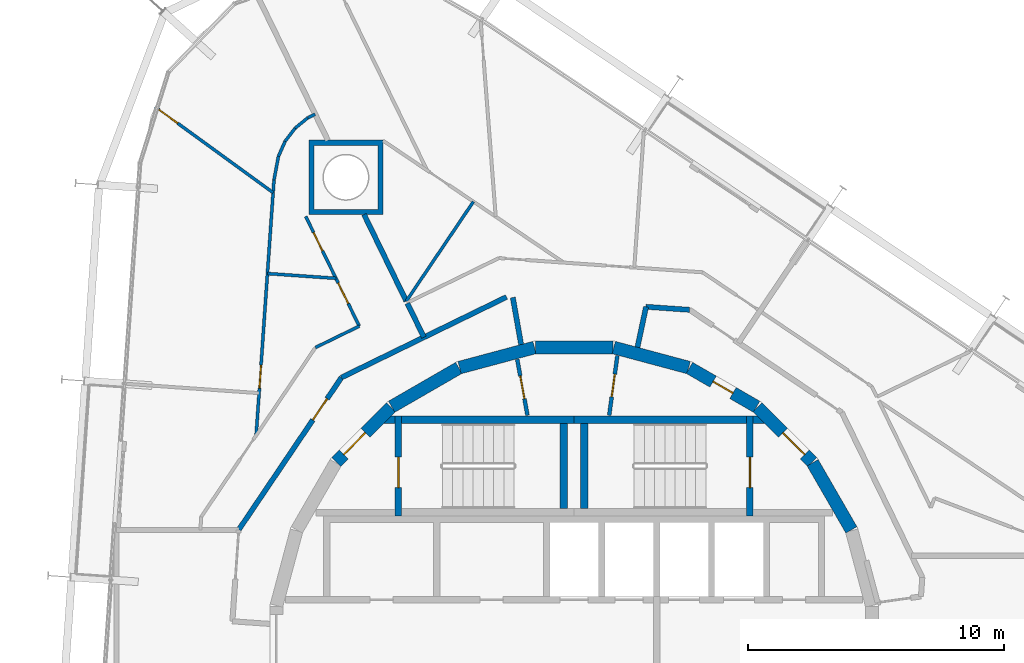
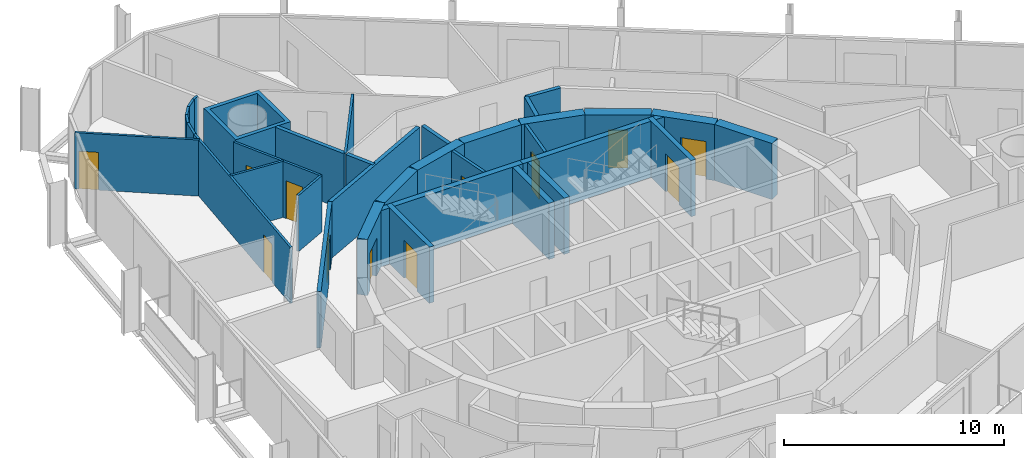
# One storey, part 15 of 17: 37 walls, 12 doors, 12 openings.
"""IFC4 building model written with IfcOpenShell, lengths in metres."""

from ifc_helpers import new_model, si_unit, direction, frame, frame_2d, origin, place, context, subcontext, project, spatial, polyline, rectangle, outline, extrude, material, layer, layer_set, type_object, element, fill, save


model = new_model("IFC4")

# Units and contexts
model_context = context("Model", 3, precision=1e-05, world=origin(), true_north=direction((0.0, 1.0)))
body_context = subcontext(model_context, "Body", "Model", "MODEL_VIEW")
ifc_project = project(units=[si_unit("LENGTHUNIT", "METRE"), si_unit("AREAUNIT", "SQUARE_METRE"), si_unit("VOLUMEUNIT", "CUBIC_METRE"), si_unit("PLANEANGLEUNIT", "RADIAN"), si_unit("MASSUNIT", "GRAM", prefix="KILO")], contexts=[model_context])

# Site, building, storey
site_placement = place(None, origin())
site = spatial("IfcSite", under=ifc_project, at=site_placement, CompositionType="ELEMENT")
building_placement = place(site_placement, origin())
building = spatial("IfcBuilding", under=site, at=building_placement, Name="Spindle Arch Residences", CompositionType="ELEMENT")
storey_placement = place(building_placement, frame((0.0, 0.0, 191.89990234375)))
storey = spatial("IfcBuildingStorey", under=building, at=storey_placement, Name="L48", CompositionType="ELEMENT", Elevation=191.89990234375)

# Wall
ifc_material_1 = material(Name="Concrete C50/60", Category="concrete")
ifc_layer_1 = layer(ifc_material_1, 0.5)
ifc_layer_set_1 = layer_set([ifc_layer_1], Name="Core outline wall 500")
wall_type_1 = type_object("IfcWallType", Name="Core outline wall 500", PredefinedType="SHEAR", material=ifc_layer_set_1)
wall_1_placement = place(storey_placement, frame((10.84521484375, 4.510498046875, 0.0), z_axis=(0.0, 0.0, 1.0), x_axis=(-0.500087131594, 0.865975092491, 0.0)))
element("IfcWall", 1, at=wall_1_placement, inside=storey, type_object=wall_type_1, Name="Core outline wall 8", PredefinedType="SHEAR", context=body_context, shape_type="SweptSolid", body=[
    extrude(rectangle(XDim=3.03271484375, YDim=0.5, at=frame_2d((1.516357421875, 0.0))), origin(), (0.0, 0.0, 1.0), 3.1201171875),
])

# Wall, opening, door
wall_2_placement = place(storey_placement, frame((9.30810546875, 7.163818359375, 0.0), z_axis=(0.0, 0.0, 1.0), x_axis=(-0.707106781187, 0.707106781187, 0.0)))
wall_2 = element("IfcWall", 2, at=wall_2_placement, inside=storey, type_object=wall_type_1, Name="Core outline wall 9", PredefinedType="SHEAR", context=body_context, shape_type="SweptSolid", body=[
    extrude(rectangle(XDim=3.032470703125, YDim=0.5, at=frame_2d((1.51611328125, 0.0))), origin(), (0.0, 0.0, 1.0), 3.1201171875),
])
opening_1_placement = place(wall_2_placement, frame((0.416259765625, 0.0, 0.0)))
opening_1 = element("IfcOpeningElement", 3, at=opening_1_placement, cuts=wall_2, Name="Opening R5A1-AD01", PredefinedType="OPENING", context=body_context, shape_type="SweptSolid", body=[
    extrude(rectangle(XDim=1.199951171875, YDim=2.10009765625, at=frame_2d((0.60009765625, 1.050048828125))), frame((0.0, 0.260009765625, 0.0), z_axis=(0.0, -1.0, 0.0), x_axis=(1.0, 0.0, 0.0)), (0.0, 0.0, 1.0), 0.52001953125),
])
ifc_material_2 = material(Name="Steel, fire-resisting door", Category="steel")
door_type_1 = type_object("IfcDoorType", Name="Stair airlock door 1200x2100", OperationType="SINGLE_SWING_LEFT", PredefinedType="DOOR", material=ifc_material_2)
door_1_placement = place(opening_1_placement, origin())
door_1 = element("IfcDoor", 4, at=door_1_placement, inside=storey, type_object=door_type_1, Name="Stair airlock door R5A1-AD01", OperationType="SINGLE_SWING_RIGHT", OverallHeight=2.10009765625, OverallWidth=1.199951171875, PredefinedType="DOOR", context=body_context, shape_type="SweptSolid", body=[
    extrude(rectangle(XDim=1.199951171875, YDim=2.10009765625, at=frame_2d((0.60009765625, 1.050048828125))), frame((0.0, 0.02490234375, 0.0), z_axis=(0.0, -1.0, 0.0), x_axis=(1.0, 0.0, 0.0)), (0.0, 0.0, 1.0), 0.050048828125),
])
fill(opening_1, door_1)

wall_3_placement = place(storey_placement, frame((7.13671875, 9.32861328125, 0.0), z_axis=(0.0, 0.0, 1.0), x_axis=(-0.865975092491, 0.500087131594, 0.0)))
wall_3 = element("IfcWall", 5, at=wall_3_placement, inside=storey, type_object=wall_type_1, Name="Core outline wall 10", PredefinedType="SHEAR", context=body_context, shape_type="SweptSolid", body=[
    extrude(rectangle(XDim=3.03271484375, YDim=0.5, at=frame_2d((1.516357421875, 0.0))), origin(), (0.0, 0.0, 1.0), 3.1201171875),
])
opening_2_placement = place(wall_3_placement, frame((1.06640625, 0.0, 0.0)))
opening_2 = element("IfcOpeningElement", 6, at=opening_2_placement, cuts=wall_3, Name="Opening R5A1-WD12", PredefinedType="OPENING", context=body_context, shape_type="SweptSolid", body=[
    extrude(rectangle(XDim=0.89990234375, YDim=2.10009765625, at=frame_2d((0.449951171875, 1.050048828125))), frame((0.0, 0.260009765625, 0.0), z_axis=(0.0, -1.0, 0.0), x_axis=(1.0, 0.0, 0.0)), (0.0, 0.0, 1.0), 0.52001953125),
])
ifc_material_3 = material(Name="Steel, fire-resisting door", Category="steel")
door_type_2 = type_object("IfcDoorType", Name="Service room door 900x2100", OperationType="SINGLE_SWING_LEFT", PredefinedType="DOOR", material=ifc_material_3)
door_2_placement = place(opening_2_placement, origin())
door_2 = element("IfcDoor", 7, at=door_2_placement, inside=storey, type_object=door_type_2, Name="Service room door R5A1-WD12", OperationType="SINGLE_SWING_RIGHT", OverallHeight=2.10009765625, OverallWidth=0.89990234375, PredefinedType="DOOR", context=body_context, shape_type="SweptSolid", body=[
    extrude(rectangle(XDim=0.89990234375, YDim=2.10009765625, at=frame_2d((0.449951171875, 1.050048828125))), frame((0.0, 0.02490234375, 0.0), z_axis=(0.0, -1.0, 0.0), x_axis=(1.0, 0.0, 0.0)), (0.0, 0.0, 1.0), 0.050048828125),
])
fill(opening_2, door_2)

# Walls
for number, where, z_axis, x_axis, name in (
    (8, (4.479248046875, 10.858154296875, 0.0), (0.0, 0.0, 1.0), (-0.965948410781, 0.258734743916, 0.0), "Core outline wall 11"),
    (9, (1.516357421875, 11.647216796875, 0.0), (0.0, 0.0, 1.0), (-1.0, 0.0, 0.0), "Core outline wall 12"),
    (10, (-1.5498046875, 11.642822265625, 0.0), (0.0, 0.0, 1.0), (-0.965948410781, -0.258734743916, 0.0), "Core outline wall 13"),
    (11, (-4.510498046875, 10.84521484375, 0.0), (0.0, 0.0, 1.0), (-0.865975092491, -0.500087131594, 0.0), "Core outline wall 14"),
):
    element("IfcWall", number, at=place(storey_placement, frame(where, z_axis=z_axis, x_axis=x_axis)), inside=storey, type_object=wall_type_1, Name=name, PredefinedType="SHEAR", context=body_context, shape_type="SweptSolid", body=[
        extrude(rectangle(XDim=3.03271484375, YDim=0.5, at=frame_2d((1.516357421875, 0.0))), origin(), (0.0, 0.0, 1.0), 3.1201171875),
    ])

# Wall, opening, door
wall_4_placement = place(storey_placement, frame((-7.163818359375, 9.30810546875, 0.0), z_axis=(0.0, 0.0, 1.0), x_axis=(-0.707106781187, -0.707106781187, 0.0)))
wall_4 = element("IfcWall", 12, at=wall_4_placement, inside=storey, type_object=wall_type_1, Name="Core outline wall 15", PredefinedType="SHEAR", context=body_context, shape_type="SweptSolid", body=[
    extrude(rectangle(XDim=3.032470703125, YDim=0.5, at=frame_2d((1.51611328125, 0.0))), origin(), (0.0, 0.0, 1.0), 3.1201171875),
])
opening_3_placement = place(wall_4_placement, frame((1.416259765625, 0.0, 0.0)))
opening_3 = element("IfcOpeningElement", 13, at=opening_3_placement, cuts=wall_4, Name="Opening R5A1-AD02", PredefinedType="OPENING", context=body_context, shape_type="SweptSolid", body=[
    extrude(rectangle(XDim=1.199951171875, YDim=2.10009765625, at=frame_2d((0.60009765625, 1.050048828125))), frame((0.0, 0.260009765625, 0.0), z_axis=(0.0, -1.0, 0.0), x_axis=(1.0, 0.0, 0.0)), (0.0, 0.0, 1.0), 0.52001953125),
])
door_3_placement = place(opening_3_placement, origin())
door_3 = element("IfcDoor", 14, at=door_3_placement, inside=storey, type_object=door_type_1, Name="Stair airlock door R5A1-AD02", OperationType="SINGLE_SWING_RIGHT", OverallHeight=2.10009765625, OverallWidth=1.199951171875, PredefinedType="DOOR", context=body_context, shape_type="SweptSolid", body=[
    extrude(rectangle(XDim=1.199951171875, YDim=2.10009765625, at=frame_2d((0.60009765625, 1.050048828125))), frame((0.0, 0.02490234375, 0.0), z_axis=(0.0, -1.0, 0.0), x_axis=(1.0, 0.0, 0.0)), (0.0, 0.0, 1.0), 0.050048828125),
])
fill(opening_3, door_3)

# Walls
ifc_material_4 = material(Name="Calcium silicate block, plastered")
ifc_layer_2 = layer(ifc_material_4, 0.199951171875)
ifc_layer_set_2 = layer_set([ifc_layer_2], Name="Corridor wall 200")
wall_type_2 = type_object("IfcWallType", Name="Corridor wall 200", PredefinedType="STANDARD", material=ifc_layer_set_2)
wall_5_placement = place(storey_placement, frame((4.5166015625, 13.116943359375, 0.0), z_axis=(0.0, 0.0, 1.0), x_axis=(-0.997562153664, 0.069783591025, 0.0)))
element("IfcWall", 15, at=wall_5_placement, inside=storey, type_object=wall_type_2, Name="Corridor wall R5A1-W006", PredefinedType="STANDARD", context=body_context, shape_type="SweptSolid", body=[
    extrude(rectangle(XDim=1.707275390625, YDim=0.199951171875, at=frame_2d((0.853515625, 0.0))), origin(), (0.0, 0.0, 1.0), 3.1201171875),
])
wall_6_placement = place(storey_placement, frame((2.8134765625, 13.236083984375, 0.0), z_axis=(0.0, 0.0, 1.0), x_axis=(-0.207911086063, -0.978147729278, 0.0)))
element("IfcWall", 16, at=wall_6_placement, inside=storey, type_object=wall_type_2, Name="Corridor wall R5A1-W007", PredefinedType="STANDARD", context=body_context, shape_type="SweptSolid", body=[
    extrude(rectangle(XDim=1.6181640625, YDim=0.199951171875, at=frame_2d((0.80908203125, 0.0))), origin(), (0.0, 0.0, 1.0), 3.1201171875),
])
wall_7_placement = place(storey_placement, frame((-2.07373046875, 11.76123046875, 0.0), z_axis=(0.0, 0.0, 1.0), x_axis=(-0.173740587112, 0.984791454263, 0.0)))
element("IfcWall", 17, at=wall_7_placement, inside=storey, type_object=wall_type_2, Name="Corridor wall R5A1-W010", PredefinedType="STANDARD", context=body_context, shape_type="SweptSolid", body=[
    extrude(rectangle(XDim=1.867431640625, YDim=0.199951171875, at=frame_2d((0.93359375, 0.0))), origin(), (0.0, 0.0, 1.0), 3.1201171875),
])
wall_8_placement = place(storey_placement, frame((-2.64697265625, 13.617919921875, 0.0), z_axis=(0.0, 0.0, 1.0), x_axis=(-0.898796543751, -0.438366026218, 0.0)))
element("IfcWall", 18, at=wall_8_placement, inside=storey, type_object=wall_type_2, Name="Corridor wall R5A1-W011", PredefinedType="STANDARD", context=body_context, shape_type="SweptSolid", body=[
    extrude(rectangle(XDim=7.18115234375, YDim=0.199951171875, at=frame_2d((3.590576171875, 0.0))), origin(), (0.0, 0.0, 1.0), 3.1201171875),
])

# Wall, opening, door
wall_9_placement = place(storey_placement, frame((-9.101318359375, 10.469970703125, 0.0), z_axis=(0.0, 0.0, 1.0), x_axis=(-0.559195469534, -0.829035841718, 0.0)))
wall_9 = element("IfcWall", 19, at=wall_9_placement, inside=storey, type_object=wall_type_2, Name="Corridor wall R5A1-W012", PredefinedType="STANDARD", context=body_context, shape_type="SweptSolid", body=[
    extrude(rectangle(XDim=7.18115234375, YDim=0.199951171875, at=frame_2d((3.590576171875, 0.0))), origin(), (0.0, 0.0, 1.0), 3.1201171875),
])
opening_4_placement = place(wall_9_placement, frame((1.0, 0.0, 0.0)))
opening_4 = element("IfcOpeningElement", 20, at=opening_4_placement, cuts=wall_9, Name="Opening R5A1-FD03", PredefinedType="OPENING", context=body_context, shape_type="SweptSolid", body=[
    extrude(rectangle(XDim=1.0, YDim=2.10009765625, at=frame_2d((0.5, 1.050048828125))), frame((0.0, 0.10986328125, 0.0), z_axis=(0.0, -1.0, 0.0), x_axis=(1.0, 0.0, 0.0)), (0.0, 0.0, 1.0), 0.219970703125),
])
ifc_material_5 = material(Name="Timber, fire-resisting door set", Category="wood")
door_type_3 = type_object("IfcDoorType", Name="Flat entrance door 1000x2100", OperationType="NOTDEFINED", PredefinedType="DOOR", material=ifc_material_5)
door_4_placement = place(opening_4_placement, origin())
door_4 = element("IfcDoor", 21, at=door_4_placement, inside=storey, type_object=door_type_3, Name="Flat entrance door R5A1-FD03", OperationType="SINGLE_SWING_LEFT", OverallHeight=2.10009765625, OverallWidth=1.0, PredefinedType="DOOR", context=body_context, shape_type="SweptSolid", body=[
    extrude(rectangle(XDim=1.0, YDim=2.10009765625, at=frame_2d((0.5, 1.050048828125))), frame((0.0, 0.02490234375, 0.0), z_axis=(0.0, -1.0, 0.0), x_axis=(1.0, 0.0, 0.0)), (0.0, 0.0, 1.0), 0.050048828125),
])
fill(opening_4, door_4)

# Wall
ifc_material_6 = material(Name="Plasterboard on steel studs", Category="steel")
ifc_layer_3 = layer(ifc_material_6, 0.1201171875)
ifc_layer_set_3 = layer_set([ifc_layer_3], Name="Flat partition 120")
wall_type_3 = type_object("IfcWallType", Name="Flat partition 120", PredefinedType="PARTITIONING", material=ifc_layer_set_3)
wall_10_placement = place(storey_placement, frame((-3.939453125, 17.349853515625, 0.0), z_axis=(0.0, 0.0, 1.0), x_axis=(-0.559193216274, -0.829037361566, 0.0)))
element("IfcWall", 22, at=wall_10_placement, inside=storey, type_object=wall_type_3, Name="Flat partition R5A1-W057", PredefinedType="PARTITIONING", context=body_context, shape_type="SweptSolid", body=[
    extrude(rectangle(XDim=4.69384765625, YDim=0.1201171875, at=frame_2d((2.346923828125, 0.0))), origin(), (0.0, 0.0, 1.0), 3.1201171875),
])

# Wall, openings, doors
wall_11_placement = place(storey_placement, frame((-10.5, 16.774658203125, 0.0), z_axis=(0.0, 0.0, 1.0), x_axis=(0.438345136783, -0.898806731761, 0.0)))
wall_11 = element("IfcWall", 23, at=wall_11_placement, inside=storey, type_object=wall_type_3, Name="Flat partition R5A1-W059", PredefinedType="PARTITIONING", context=body_context, shape_type="SweptSolid", body=[
    extrude(rectangle(XDim=4.77978515625, YDim=0.1201171875, at=frame_2d((2.389892578125, 0.0))), origin(), (0.0, 0.0, 1.0), 3.1201171875),
])
opening_5_placement = place(wall_11_placement, frame((0.699951171875, 0.0, 0.0)))
opening_5 = element("IfcOpeningElement", 24, at=opening_5_placement, cuts=wall_11, Name="Opening R5A1-BD03", PredefinedType="OPENING", context=body_context, shape_type="SweptSolid", body=[
    extrude(rectangle(XDim=0.800048828125, YDim=2.10009765625, at=frame_2d((0.39990234375, 1.050048828125))), frame((0.0, 0.070068359375, 0.0), z_axis=(0.0, -1.0, 0.0), x_axis=(1.0, 0.0, 0.0)), (0.0, 0.0, 1.0), 0.14013671875),
])
opening_6_placement = place(wall_11_placement, frame((2.898681640625, 0.0, 0.0)))
opening_6 = element("IfcOpeningElement", 25, at=opening_6_placement, cuts=wall_11, Name="Opening R5A1-ID10", PredefinedType="OPENING", context=body_context, shape_type="SweptSolid", body=[
    extrude(rectangle(XDim=0.89990234375, YDim=2.10009765625, at=frame_2d((0.449951171875, 1.050048828125))), frame((0.0, 0.070068359375, 0.0), z_axis=(0.0, -1.0, 0.0), x_axis=(1.0, 0.0, 0.0)), (0.0, 0.0, 1.0), 0.14013671875),
])
ifc_material_7 = material(Name="Timber door set", Category="wood")
door_type_4 = type_object("IfcDoorType", Name="Bathroom door 800x2100", OperationType="NOTDEFINED", PredefinedType="DOOR", material=ifc_material_7)
door_5_placement = place(opening_5_placement, origin())
door_5 = element("IfcDoor", 26, at=door_5_placement, inside=storey, type_object=door_type_4, Name="Bathroom door R5A1-BD03", OperationType="SINGLE_SWING_LEFT", OverallHeight=2.10009765625, OverallWidth=0.800048828125, PredefinedType="DOOR", context=body_context, shape_type="SweptSolid", body=[
    extrude(rectangle(XDim=0.800048828125, YDim=2.10009765625, at=frame_2d((0.39990234375, 1.050048828125))), frame((0.0, 0.02490234375, 0.0), z_axis=(0.0, -1.0, 0.0), x_axis=(1.0, 0.0, 0.0)), (0.0, 0.0, 1.0), 0.050048828125),
])
fill(opening_5, door_5)
ifc_material_8 = material(Name="Timber door set", Category="wood")
door_type_5 = type_object("IfcDoorType", Name="Room door 900x2100", OperationType="NOTDEFINED", PredefinedType="DOOR", material=ifc_material_8)
door_6_placement = place(opening_6_placement, origin())
door_6 = element("IfcDoor", 27, at=door_6_placement, inside=storey, type_object=door_type_5, Name="Room door R5A1-ID10", OperationType="SINGLE_SWING_LEFT", OverallHeight=2.10009765625, OverallWidth=0.89990234375, PredefinedType="DOOR", context=body_context, shape_type="SweptSolid", body=[
    extrude(rectangle(XDim=0.89990234375, YDim=2.10009765625, at=frame_2d((0.449951171875, 1.050048828125))), frame((0.0, 0.02490234375, 0.0), z_axis=(0.0, -1.0, 0.0), x_axis=(1.0, 0.0, 0.0)), (0.0, 0.0, 1.0), 0.050048828125),
])
fill(opening_6, door_6)

# Wall
wall_12_placement = place(storey_placement, frame((-8.40478515625, 12.478515625, 0.0), z_axis=(0.0, 0.0, 1.0), x_axis=(-0.898784427692, -0.438390867307, 0.0)))
element("IfcWall", 28, at=wall_12_placement, inside=storey, type_object=wall_type_3, Name="Flat partition R5A1-W060", PredefinedType="PARTITIONING", context=body_context, shape_type="SweptSolid", body=[
    extrude(rectangle(XDim=1.908447265625, YDim=0.1201171875, at=frame_2d((0.9541015625, 0.0))), origin(), (0.0, 0.0, 1.0), 3.1201171875),
])

# Wall, opening, door
wall_13_placement = place(storey_placement, frame((-12.438720703125, 8.204345703125, 0.0), z_axis=(0.0, 0.0, 1.0), x_axis=(0.069750037523, 0.997564500303, 0.0)))
wall_13 = element("IfcWall", 29, at=wall_13_placement, inside=storey, type_object=wall_type_3, Name="Flat partition R5A1-W063", PredefinedType="PARTITIONING", context=body_context, shape_type="SweptSolid", body=[
    extrude(rectangle(XDim=10.01416015625, YDim=0.1201171875, at=frame_2d((5.007080078125, 0.0))), origin(), (0.0, 0.0, 1.0), 3.1201171875),
])
opening_7_placement = place(wall_13_placement, frame((1.859130859375, 0.0, 0.0)))
opening_7 = element("IfcOpeningElement", 30, at=opening_7_placement, cuts=wall_13, Name="Opening R5A1-ID12", PredefinedType="OPENING", context=body_context, shape_type="SweptSolid", body=[
    extrude(rectangle(XDim=0.89990234375, YDim=2.10009765625, at=frame_2d((0.449951171875, 1.050048828125))), frame((0.0, 0.070068359375, 0.0), z_axis=(0.0, -1.0, 0.0), x_axis=(1.0, 0.0, 0.0)), (0.0, 0.0, 1.0), 0.14013671875),
])
door_7_placement = place(opening_7_placement, origin())
door_7 = element("IfcDoor", 31, at=door_7_placement, inside=storey, type_object=door_type_5, Name="Room door R5A1-ID12", OperationType="SINGLE_SWING_LEFT", OverallHeight=2.10009765625, OverallWidth=0.89990234375, PredefinedType="DOOR", context=body_context, shape_type="SweptSolid", body=[
    extrude(rectangle(XDim=0.89990234375, YDim=2.10009765625, at=frame_2d((0.449951171875, 1.050048828125))), frame((0.0, 0.02490234375, 0.0), z_axis=(0.0, -1.0, 0.0), x_axis=(1.0, 0.0, 0.0)), (0.0, 0.0, 1.0), 0.050048828125),
])
fill(opening_7, door_7)

# Walls
wall_14_placement = place(storey_placement, frame((-11.740234375, 18.194091796875, 0.0), z_axis=(0.0, 0.0, 1.0), x_axis=(0.185144760846, 0.982711258474, 0.0)))
element("IfcWall", 32, at=wall_14_placement, inside=storey, type_object=wall_type_3, Name="Flat partition R5A1-W064", PredefinedType="PARTITIONING", context=body_context, shape_type="SweptSolid", body=[
    extrude(rectangle(XDim=0.94677734375, YDim=0.1201171875, at=frame_2d((0.473388671875, 0.0))), origin(), (0.0, 0.0, 1.0), 3.1201171875),
])
for number, where, z_axis, x_axis, name in (
    (33, (-11.56494140625, 19.12451171875, 0.0), (0.0, 0.0, 1.0), (0.406597190981, 0.913607532963, 0.0), "Flat partition R5A1-W065"),
    (34, (-11.303955078125, 19.7109375, 0.0), (0.0, 0.0, 1.0), (0.60667331935, 0.794951246045, 0.0), "Flat partition R5A1-W066"),
    (35, (-10.91455078125, 20.22119140625, 0.0), (0.0, 0.0, 1.0), (0.773278980213, 0.634065941965, 0.0), "Flat partition R5A1-W067"),
):
    element("IfcWall", number, at=place(storey_placement, frame(where, z_axis=z_axis, x_axis=x_axis)), inside=storey, type_object=wall_type_3, Name=name, PredefinedType="PARTITIONING", context=body_context, shape_type="SweptSolid", body=[
        extrude(rectangle(XDim=0.641845703125, YDim=0.1201171875, at=frame_2d((0.32080078125, 0.0))), origin(), (0.0, 0.0, 1.0), 3.1201171875),
    ])
wall_15_placement = place(storey_placement, frame((-10.418212890625, 20.628173828125, 0.0), z_axis=(0.0, 0.0, 1.0), x_axis=(0.898943795765, 0.438063981692, 0.0)))
element("IfcWall", 36, at=wall_15_placement, inside=storey, type_object=wall_type_3, Name="Flat partition R5A1-W068", PredefinedType="PARTITIONING", context=body_context, shape_type="SweptSolid", body=[
    extrude(rectangle(XDim=0.321044921875, YDim=0.1201171875, at=frame_2d((0.16064453125, 0.0))), origin(), (0.0, 0.0, 1.0), 3.1201171875),
])

# Wall, opening, door
wall_16_placement = place(storey_placement, frame((-16.39501953125, 21.060791015625, 0.0), z_axis=(0.0, 0.0, 1.0), x_axis=(0.808810002497, -0.58807004673, 0.0)))
wall_16 = element("IfcWall", 37, at=wall_16_placement, inside=storey, type_object=wall_type_3, Name="Flat partition R5A1-W069", PredefinedType="PARTITIONING", context=body_context, shape_type="SweptSolid", body=[
    extrude(rectangle(XDim=5.712646484375, YDim=0.1201171875, at=frame_2d((2.8564453125, 0.0))), origin(), (0.0, 0.0, 1.0), 3.1201171875),
])
opening_8_placement = place(wall_16_placement, frame((0.199951171875, 0.0, 0.0)))
opening_8 = element("IfcOpeningElement", 38, at=opening_8_placement, cuts=wall_16, Name="Opening R5A1-ID13", PredefinedType="OPENING", context=body_context, shape_type="SweptSolid", body=[
    extrude(rectangle(XDim=0.89990234375, YDim=2.10009765625, at=frame_2d((0.449951171875, 1.050048828125))), frame((0.0, 0.070068359375, 0.0), z_axis=(0.0, -1.0, 0.0), x_axis=(1.0, 0.0, 0.0)), (0.0, 0.0, 1.0), 0.14013671875),
])
door_8_placement = place(opening_8_placement, origin())
door_8 = element("IfcDoor", 39, at=door_8_placement, inside=storey, type_object=door_type_5, Name="Room door R5A1-ID13", OperationType="SINGLE_SWING_LEFT", OverallHeight=2.10009765625, OverallWidth=0.89990234375, PredefinedType="DOOR", context=body_context, shape_type="SweptSolid", body=[
    extrude(rectangle(XDim=0.89990234375, YDim=2.10009765625, at=frame_2d((0.449951171875, 1.050048828125))), frame((0.0, 0.02490234375, 0.0), z_axis=(0.0, -1.0, 0.0), x_axis=(1.0, 0.0, 0.0)), (0.0, 0.0, 1.0), 0.050048828125),
])
fill(opening_8, door_8)

# Walls
wall_17_placement = place(storey_placement, frame((-11.99609375, 14.536376953125, 0.0), z_axis=(0.0, 0.0, 1.0), x_axis=(0.997565991425, -0.069728708231, 0.0)))
element("IfcWall", 40, at=wall_17_placement, inside=storey, type_object=wall_type_3, Name="Flat partition R5A1-W070", PredefinedType="PARTITIONING", context=body_context, shape_type="SweptSolid", body=[
    extrude(rectangle(XDim=2.685546875, YDim=0.1201171875, at=frame_2d((1.3427734375, 0.0))), origin(), (0.0, 0.0, 1.0), 3.1201171875),
])
ifc_material_9 = material(Name="Calcium silicate block, plastered")
ifc_layer_4 = layer(ifc_material_9, 0.199951171875)
ifc_layer_set_4 = layer_set([ifc_layer_4], Name="Flat party wall 200")
wall_type_4 = type_object("IfcWallType", Name="Flat party wall 200", PredefinedType="STANDARD", material=ifc_layer_set_4)
wall_18_placement = place(storey_placement, frame((-6.5224609375, 13.373046875, 0.0), z_axis=(0.0, 0.0, 1.0), x_axis=(0.438277270821, -0.8988398266, 0.0)))
element("IfcWall", 41, at=wall_18_placement, inside=storey, type_object=wall_type_4, Name="Flat party wall R5A1-W030", PredefinedType="STANDARD", context=body_context, shape_type="SweptSolid", body=[
    extrude(rectangle(XDim=1.47900390625, YDim=0.199951171875, at=frame_2d((0.739501953125, 0.0))), origin(), (0.0, 0.0, 1.0), 3.1201171875),
])
wall_19_placement = place(storey_placement, frame((-8.219482421875, 16.8505859375, 0.0), z_axis=(0.0, 0.0, 1.0), x_axis=(0.438291091101, -0.898833087654, 0.0)))
element("IfcWall", 42, at=wall_19_placement, inside=storey, type_object=wall_type_4, Name="Flat party wall R5A1-W031", PredefinedType="STANDARD", context=body_context, shape_type="SweptSolid", body=[
    extrude(rectangle(XDim=3.7744140625, YDim=0.199951171875, at=frame_2d((1.88720703125, 0.0))), origin(), (0.0, 0.0, 1.0), 3.1201171875),
])
ifc_material_10 = material(Name="Calcium silicate block, plastered")
ifc_layer_5 = layer(ifc_material_10, 0.199951171875)
ifc_layer_set_5 = layer_set([ifc_layer_5], Name="Mega-column casing wall 200")
wall_type_5 = type_object("IfcWallType", Name="Mega-column casing wall 200", PredefinedType="STANDARD", material=ifc_layer_set_5)
wall_20_placement = place(storey_placement, origin())
element("IfcWall", 43, at=wall_20_placement, inside=storey, type_object=wall_type_5, Name="Mega-column casing wall R5A1-WC01", PredefinedType="STANDARD", context=body_context, shape_type="SweptSolid", body=[
    extrude(outline(polyline([(-7.475830078125, 19.750732421875), (-7.475830078125, 16.850830078125), (-10.3759765625, 16.850830078125), (-10.3759765625, 19.750732421875), (-7.475830078125, 19.750732421875)]), holes=[polyline([(-10.17578125, 17.05078125), (-7.67578125, 17.05078125), (-7.67578125, 19.55078125), (-10.17578125, 19.55078125), (-10.17578125, 17.05078125)])]), origin(), (0.0, 0.0, 1.0), 3.1201171875),
])

# Wall, opening, door
ifc_material_11 = material(Name="Concrete C25/30", Category="concrete")
ifc_layer_6 = layer(ifc_material_11, 0.14990234375)
ifc_layer_set_6 = layer_set([ifc_layer_6], Name="Service room partition 150")
wall_type_6 = type_object("IfcWallType", Name="Service room partition 150", PredefinedType="PARTITIONING", material=ifc_layer_set_6)
wall_21_placement = place(storey_placement, frame((1.69091796875, 11.32568359375, 0.0), z_axis=(0.0, 0.0, 1.0), x_axis=(-0.135344253201, -0.990798633994, 0.0)))
wall_21 = element("IfcWall", 44, at=wall_21_placement, inside=storey, type_object=wall_type_6, Name="Core service room partition", PredefinedType="PARTITIONING", context=body_context, shape_type="SweptSolid", body=[
    extrude(rectangle(XDim=2.357666015625, YDim=0.14990234375, at=frame_2d((1.1787109375, 0.0))), origin(), (0.0, 0.0, 1.0), 3.1201171875),
])
opening_9_placement = place(wall_21_placement, frame((0.728759765625, 0.0, 0.0)))
opening_9 = element("IfcOpeningElement", 45, at=opening_9_placement, cuts=wall_21, Name="Opening R5A1-WD08", PredefinedType="OPENING", context=body_context, shape_type="SweptSolid", body=[
    extrude(rectangle(XDim=0.89990234375, YDim=2.10009765625, at=frame_2d((0.449951171875, 1.050048828125))), frame((0.0, 0.0849609375, 0.0), z_axis=(0.0, -1.0, 0.0), x_axis=(1.0, 0.0, 0.0)), (0.0, 0.0, 1.0), 0.169921875),
])
door_9_placement = place(opening_9_placement, origin())
door_9 = element("IfcDoor", 46, at=door_9_placement, inside=storey, type_object=door_type_2, Name="Service room door R5A1-WD08", OperationType="SINGLE_SWING_RIGHT", OverallHeight=2.10009765625, OverallWidth=0.89990234375, PredefinedType="DOOR", context=body_context, shape_type="SweptSolid", body=[
    extrude(rectangle(XDim=0.89990234375, YDim=2.10009765625, at=frame_2d((0.449951171875, 1.050048828125))), frame((0.0, 0.02490234375, 0.0), z_axis=(0.0, -1.0, 0.0), x_axis=(1.0, 0.0, 0.0)), (0.0, 0.0, 1.0), 0.050048828125),
])
fill(opening_9, door_9)

wall_22_placement = place(storey_placement, frame((-1.824951171875, 8.98974609375, 0.0), z_axis=(0.0, 0.0, 1.0), x_axis=(-0.179955206115, 0.983674805915, 0.0)))
wall_22 = element("IfcWall", 47, at=wall_22_placement, inside=storey, type_object=wall_type_6, Name="Core service room partition", PredefinedType="PARTITIONING", context=body_context, shape_type="SweptSolid", body=[
    extrude(rectangle(XDim=2.22900390625, YDim=0.14990234375, at=frame_2d((1.114501953125, 0.0))), origin(), (0.0, 0.0, 1.0), 3.1201171875),
])
opening_10_placement = place(wall_22_placement, frame((0.66455078125, 0.0, 0.0)))
opening_10 = element("IfcOpeningElement", 48, at=opening_10_placement, cuts=wall_22, Name="Opening R5A1-WD09", PredefinedType="OPENING", context=body_context, shape_type="SweptSolid", body=[
    extrude(rectangle(XDim=0.89990234375, YDim=2.10009765625, at=frame_2d((0.449951171875, 1.050048828125))), frame((0.0, 0.0849609375, 0.0), z_axis=(0.0, -1.0, 0.0), x_axis=(1.0, 0.0, 0.0)), (0.0, 0.0, 1.0), 0.169921875),
])
door_10_placement = place(opening_10_placement, origin())
door_10 = element("IfcDoor", 49, at=door_10_placement, inside=storey, type_object=door_type_2, Name="Service room door R5A1-WD09", OperationType="SINGLE_SWING_LEFT", OverallHeight=2.10009765625, OverallWidth=0.89990234375, PredefinedType="DOOR", context=body_context, shape_type="SweptSolid", body=[
    extrude(rectangle(XDim=0.89990234375, YDim=2.10009765625, at=frame_2d((0.449951171875, 1.050048828125))), frame((0.0, 0.02490234375, 0.0), z_axis=(0.0, -1.0, 0.0), x_axis=(1.0, 0.0, 0.0)), (0.0, 0.0, 1.0), 0.050048828125),
])
fill(opening_10, door_10)

# Walls
ifc_material_12 = material(Name="Concrete C40/50", Category="concrete")
wall_type_7 = type_object("IfcWallType", Name="Stair airlock wall profile", PredefinedType="SHEAR", material=ifc_material_12)
wall_23_placement = place(storey_placement, origin())
element("IfcWall", 50, at=wall_23_placement, inside=storey, type_object=wall_type_7, Name="Stair ST-1 airlock wall N", PredefinedType="SHEAR", context=body_context, shape_type="SweptSolid", body=[
    extrude(outline(polyline([(7.4482421875, 8.669921875), (7.0, 8.669921875), (7.0, 8.969970703125), (7.148193359375, 8.969970703125), (7.4482421875, 8.669921875)])), origin(), (0.0, 0.0, 1.0), 3.1201171875),
])
wall_24_placement = place(storey_placement, origin())
element("IfcWall", 51, at=wall_24_placement, inside=storey, type_object=wall_type_7, Name="Stair ST-2 airlock wall N", PredefinedType="SHEAR", context=body_context, shape_type="SweptSolid", body=[
    extrude(outline(polyline([(-7.148193359375, 8.969970703125), (-7.0, 8.969970703125), (-7.0, 8.669921875), (-7.4482421875, 8.669921875), (-7.148193359375, 8.969970703125)])), origin(), (0.0, 0.0, 1.0), 3.1201171875),
])

# Wall, opening, door
ifc_material_13 = material(Name="Concrete C50/60", Category="concrete")
ifc_layer_7 = layer(ifc_material_13, 0.25)
ifc_layer_set_7 = layer_set([ifc_layer_7], Name="Stair enclosure wall 250")
wall_type_8 = type_object("IfcWallType", Name="Stair enclosure wall 250", PredefinedType="SHEAR", material=ifc_layer_set_7)
wall_25_placement = place(storey_placement, frame((6.875, 5.050048828125, 0.0), z_axis=(0.0, 0.0, 1.0), x_axis=(0.0, 1.0, 0.0)))
wall_25 = element("IfcWall", 52, at=wall_25_placement, inside=storey, type_object=wall_type_8, Name="Stair ST-1 door wall", PredefinedType="SHEAR", context=body_context, shape_type="SweptSolid", body=[
    extrude(rectangle(XDim=3.919921875, YDim=0.25, at=frame_2d((1.9599609375, 0.0))), origin(), (0.0, 0.0, 1.0), 3.1201171875),
])
opening_11_placement = place(wall_25_placement, frame((1.110107421875, 0.0, 0.0)))
opening_11 = element("IfcOpeningElement", 53, at=opening_11_placement, cuts=wall_25, Name="Opening R5A1-SD01", PredefinedType="OPENING", context=body_context, shape_type="SweptSolid", body=[
    extrude(rectangle(XDim=1.199951171875, YDim=2.10009765625, at=frame_2d((0.60009765625, 1.050048828125))), frame((0.0, 0.135009765625, 0.0), z_axis=(0.0, -1.0, 0.0), x_axis=(1.0, 0.0, 0.0)), (0.0, 0.0, 1.0), 0.27001953125),
])
ifc_material_14 = material(Name="Steel, fire-resisting door", Category="steel")
door_type_6 = type_object("IfcDoorType", Name="Stair door 1200x2100", OperationType="SINGLE_SWING_RIGHT", PredefinedType="DOOR", material=ifc_material_14)
door_11_placement = place(opening_11_placement, origin())
door_11 = element("IfcDoor", 54, at=door_11_placement, inside=storey, type_object=door_type_6, Name="Stair door R5A1-SD01", OperationType="SINGLE_SWING_LEFT", OverallHeight=2.10009765625, OverallWidth=1.199951171875, PredefinedType="DOOR", context=body_context, shape_type="SweptSolid", body=[
    extrude(rectangle(XDim=1.199951171875, YDim=2.10009765625, at=frame_2d((0.60009765625, 1.050048828125))), frame((0.0, 0.02490234375, 0.0), z_axis=(0.0, -1.0, 0.0), x_axis=(1.0, 0.0, 0.0)), (0.0, 0.0, 1.0), 0.050048828125),
])
fill(opening_11, door_11)

wall_26_placement = place(storey_placement, frame((-6.875, 8.969970703125, 0.0), z_axis=(0.0, 0.0, 1.0), x_axis=(0.0, -1.0, 0.0)))
wall_26 = element("IfcWall", 55, at=wall_26_placement, inside=storey, type_object=wall_type_8, Name="Stair ST-2 door wall", PredefinedType="SHEAR", context=body_context, shape_type="SweptSolid", body=[
    extrude(rectangle(XDim=3.919921875, YDim=0.25, at=frame_2d((1.9599609375, 0.0))), origin(), (0.0, 0.0, 1.0), 3.1201171875),
])
opening_12_placement = place(wall_26_placement, frame((1.610107421875, 0.0, 0.0)))
opening_12 = element("IfcOpeningElement", 56, at=opening_12_placement, cuts=wall_26, Name="Opening R5A1-SD02", PredefinedType="OPENING", context=body_context, shape_type="SweptSolid", body=[
    extrude(rectangle(XDim=1.199951171875, YDim=2.10009765625, at=frame_2d((0.60009765625, 1.050048828125))), frame((0.0, 0.135009765625, 0.0), z_axis=(0.0, -1.0, 0.0), x_axis=(1.0, 0.0, 0.0)), (0.0, 0.0, 1.0), 0.27001953125),
])
door_12_placement = place(opening_12_placement, origin())
door_12 = element("IfcDoor", 57, at=door_12_placement, inside=storey, type_object=door_type_6, Name="Stair door R5A1-SD02", OperationType="SINGLE_SWING_LEFT", OverallHeight=2.10009765625, OverallWidth=1.199951171875, PredefinedType="DOOR", context=body_context, shape_type="SweptSolid", body=[
    extrude(rectangle(XDim=1.199951171875, YDim=2.10009765625, at=frame_2d((0.60009765625, 1.050048828125))), frame((0.0, 0.02490234375, 0.0), z_axis=(0.0, -1.0, 0.0), x_axis=(1.0, 0.0, 0.0)), (0.0, 0.0, 1.0), 0.050048828125),
])
fill(opening_12, door_12)

# Walls
ifc_material_15 = material(Name="Concrete C50/60", Category="concrete")
ifc_layer_8 = layer(ifc_material_15, 0.300048828125)
ifc_layer_set_8 = layer_set([ifc_layer_8], Name="Stair enclosure wall 300")
wall_type_9 = type_object("IfcWallType", Name="Stair enclosure wall 300", PredefinedType="SHEAR", material=ifc_layer_set_8)
wall_27_placement = place(storey_placement, frame((0.0, 8.820068359375, 0.0), z_axis=(0.0, 0.0, 1.0), x_axis=(1.0, 0.0, 0.0)))
element("IfcWall", 58, at=wall_27_placement, inside=storey, type_object=wall_type_9, Name="Stair ST-1 enclosure wall N", PredefinedType="SHEAR", context=body_context, shape_type="SweptSolid", body=[
    extrude(rectangle(XDim=6.75, YDim=0.300048828125, at=frame_2d((3.375, 0.0))), origin(), (0.0, 0.0, 1.0), 3.1201171875),
])
wall_28_placement = place(storey_placement, frame((0.39990234375, 5.35009765625, 0.0), z_axis=(0.0, 0.0, 1.0), x_axis=(0.0, 1.0, 0.0)))
element("IfcWall", 59, at=wall_28_placement, inside=storey, type_object=wall_type_9, Name="Stair ST-1 enclosure wall F", PredefinedType="SHEAR", context=body_context, shape_type="SweptSolid", body=[
    extrude(rectangle(XDim=3.31982421875, YDim=0.300048828125, at=frame_2d((1.659912109375, 0.0))), origin(), (0.0, 0.0, 1.0), 3.1201171875),
])
wall_29_placement = place(storey_placement, frame((-6.75, 8.820068359375, 0.0), z_axis=(0.0, 0.0, 1.0), x_axis=(1.0, 0.0, 0.0)))
element("IfcWall", 60, at=wall_29_placement, inside=storey, type_object=wall_type_9, Name="Stair ST-2 enclosure wall N", PredefinedType="SHEAR", context=body_context, shape_type="SweptSolid", body=[
    extrude(rectangle(XDim=6.75, YDim=0.300048828125, at=frame_2d((3.375, 0.0))), origin(), (0.0, 0.0, 1.0), 3.1201171875),
])
wall_30_placement = place(storey_placement, frame((-0.39990234375, 5.35009765625, 0.0), z_axis=(0.0, 0.0, 1.0), x_axis=(0.0, 1.0, 0.0)))
element("IfcWall", 61, at=wall_30_placement, inside=storey, type_object=wall_type_9, Name="Stair ST-2 enclosure wall F", PredefinedType="SHEAR", context=body_context, shape_type="SweptSolid", body=[
    extrude(rectangle(XDim=3.31982421875, YDim=0.300048828125, at=frame_2d((1.659912109375, 0.0))), origin(), (0.0, 0.0, 1.0), 3.1201171875),
])

save(model, "model.ifc")
